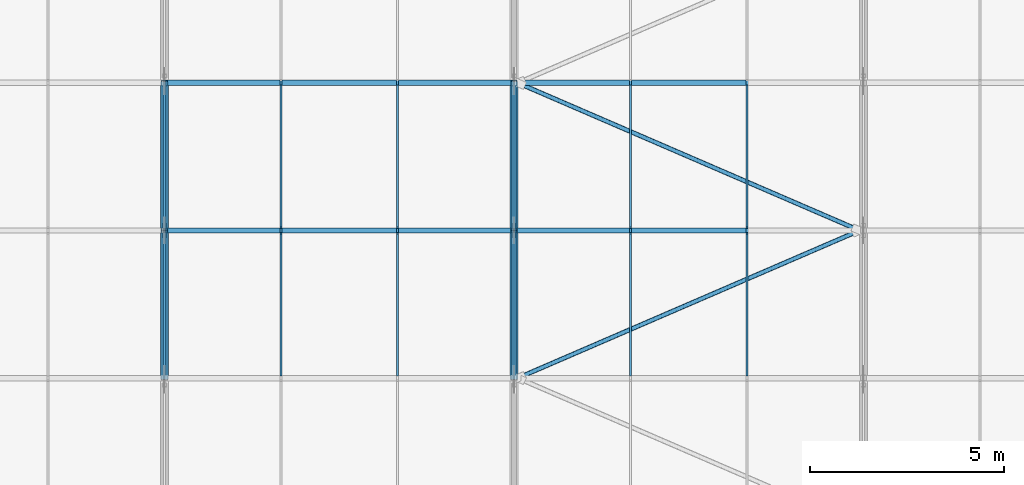
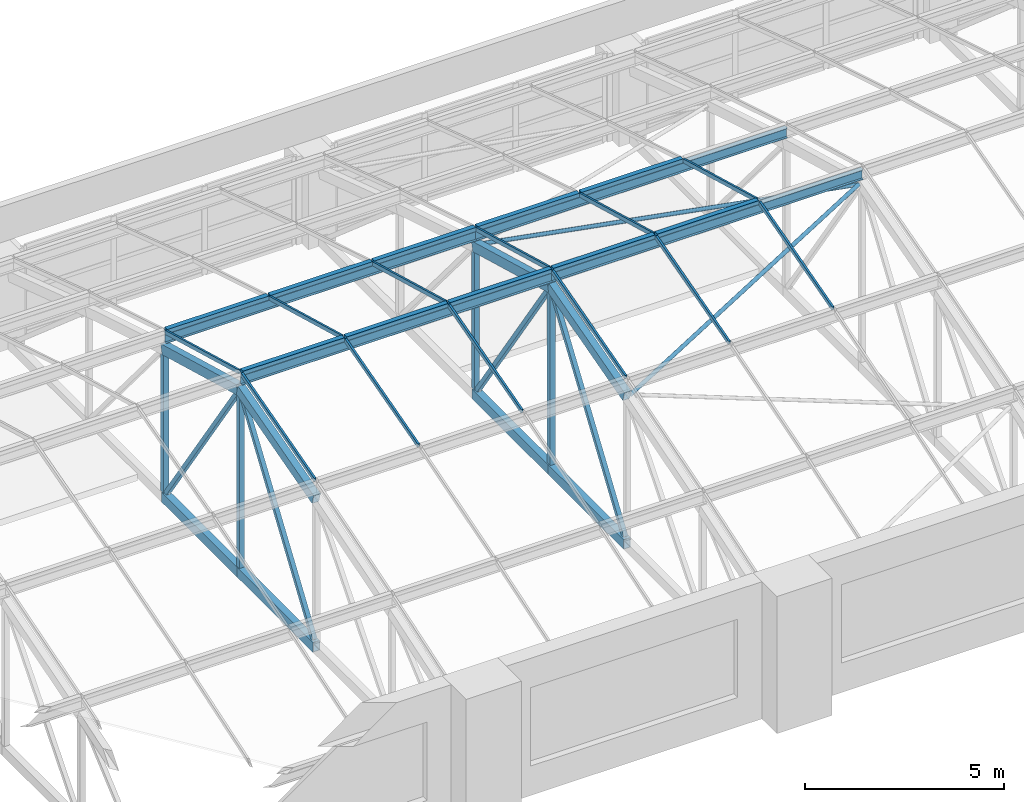
# One storey, part 17 of 82: 44 members, 1 element without a shape of its own.
"""IFC4 building model written with IfcOpenShell, lengths in metres."""

from ifc_helpers import new_model, si_unit, direction, frame, origin, origin_2d, place, context, subcontext, project, spatial, rectangle, hollow_rectangle, hollow_circle, i_section, extrude, material, material_profile, profile_set, type_object, element, aggregate, save


model = new_model("IFC4")

# Units and contexts
model_context = context("Model", 3, precision=1e-05, world=origin(), true_north=direction((0.0, 1.0)))
body_context = subcontext(model_context, "Body", "Model", "MODEL_VIEW")
ifc_project = project(units=[si_unit("LENGTHUNIT", "METRE"), si_unit("AREAUNIT", "SQUARE_METRE"), si_unit("VOLUMEUNIT", "CUBIC_METRE"), si_unit("PLANEANGLEUNIT", "RADIAN"), si_unit("MASSUNIT", "GRAM", prefix="KILO")], contexts=[model_context])

# Site, building, storey
site_placement = place(None, origin())
site = spatial("IfcSite", under=ifc_project, at=site_placement, CompositionType="ELEMENT")
building_placement = place(site_placement, origin())
building = spatial("IfcBuilding", under=site, at=building_placement, Name="Aravalli Gate Trade Fair Centre", CompositionType="ELEMENT")
storey_placement = place(building_placement, frame((0.0, 0.0, 19.199951171875)))
storey = spatial("IfcBuildingStorey", under=building, at=storey_placement, Name="L04", CompositionType="ELEMENT", Elevation=19.199951171875)

# Members
ifc_material_1 = material(Name="Steel E350", Category="steel")
ifc_material_profile_1 = material_profile(ifc_material_1, hollow_circle(Radius=0.05712890625, WallThickness=0.00439453125, at=origin_2d()), Name="CHS 114.3x4.5")
ifc_profile_set_1 = profile_set([ifc_material_profile_1], Name="Steel E350")
member_type_1 = type_object("IfcMemberType", Name="CHS 114.3x4.5 roof plan brace", PredefinedType="BRACE", material=ifc_profile_set_1)
for number, where, z_axis, x_axis, name in (
    (1, (69.10009765625, 117.300048828125, 4.674560546875), (0.912600164326, 0.394091154082, 0.108871953906), (-0.396447725805, 0.91805729707, 0.0), "Vault plan brace 8.3"),
    (2, (69.10009765625, 124.89990234375, 4.674560546875), (0.912609270109, -0.394069766951, 0.108873040214), (0.396426258231, 0.918066567186, 0.0), "Vault plan brace 8.4"),
):
    element("IfcMember", number, at=place(storey_placement, frame(where, z_axis=z_axis, x_axis=x_axis)), inside=storey, type_object=member_type_1, Name=name, PredefinedType="BRACE", context=body_context, shape_type="SweptSolid", body=[
        extrude(hollow_circle(Radius=0.05712890625, WallThickness=0.00439453125, at=origin_2d()), origin(), (0.0, 0.0, 1.0), 9.642578125),
    ])
ifc_material_profile_2 = material_profile(ifc_material_1, i_section(OverallWidth=0.139892578125, OverallDepth=0.300048828125, WebThickness=0.0078125, FlangeThickness=0.01318359375, at=origin_2d()), Name="ISMB 300")
ifc_profile_set_2 = profile_set([ifc_material_profile_2], Name="Steel E350")
member_type_2 = type_object("IfcMemberType", Name="ISMB 300 roof purlin", PredefinedType="PURLIN", material=ifc_profile_set_2)
for number, where, z_axis, x_axis, name in (
    (3, (60.0, 121.10009765625, 6.030029296875), (1.0, 0.0, 0.0), (0.0, 1.0, 0.0), "Vault purlin 07-08 F3"),
    (4, (60.0, 124.89990234375, 4.999267578125), (1.0, 0.0, 0.0), (0.0, 1.0, 0.0), "Vault purlin 07-08 F4"),
    (5, (69.0, 121.10009765625, 6.030029296875), (1.0, 0.0, 0.0), (0.0, 1.0, 0.0), "Vault purlin 08-09 F3"),
    (6, (69.0, 124.89990234375, 4.999267578125), (1.0, 0.0, 0.0), (0.0, 1.0, 0.0), "Vault purlin 08-09 F4"),
):
    element("IfcMember", number, at=place(storey_placement, frame(where, z_axis=z_axis, x_axis=x_axis)), inside=storey, type_object=member_type_2, Name=name, PredefinedType="PURLIN", context=body_context, shape_type="SweptSolid", body=[
        extrude(i_section(OverallWidth=0.139892578125, OverallDepth=0.300048828125, WebThickness=0.0078125, FlangeThickness=0.01318359375, at=origin_2d()), origin(), (0.0, 0.0, 1.0), 9.0),
    ])
ifc_material_profile_3 = material_profile(ifc_material_1, hollow_rectangle(XDim=0.199951171875, YDim=0.300048828125, WallThickness=0.011962890625, at=origin_2d()), Name="RHS 300x200x12")
ifc_profile_set_3 = profile_set([ifc_material_profile_3], Name="Steel E350")
member_type_3 = type_object("IfcMemberType", Name="RHS 300x200x12 CT1 truss chord", PredefinedType="CHORD", material=ifc_profile_set_3)
member_1_placement = place(storey_placement, frame((60.0, 117.300048828125, 4.674560546875), z_axis=(0.0, 0.963894016224, 0.266286172166), x_axis=(-1.0, 0.0, 0.0)))
element("IfcMember", 7, at=member_1_placement, inside=storey, type_object=member_type_3, Name="Concourse vault truss CT1 line 07 top chord T3", PredefinedType="CHORD", context=body_context, shape_type="SweptSolid", body=[
    extrude(hollow_rectangle(XDim=0.199951171875, YDim=0.300048828125, WallThickness=0.011962890625, at=origin_2d()), origin(), (0.0, 0.0, 1.0), 3.9423828125),
])
member_2_placement = place(storey_placement, frame((60.0, 117.300048828125, 0.150146484375), z_axis=(0.0, 1.0, 0.0), x_axis=(-1.0, 0.0, 0.0)))
element("IfcMember", 8, at=member_2_placement, inside=storey, type_object=member_type_3, Name="Concourse vault truss CT1 line 07 bottom chord B3", PredefinedType="CHORD", context=body_context, shape_type="SweptSolid", body=[
    extrude(hollow_rectangle(XDim=0.199951171875, YDim=0.300048828125, WallThickness=0.011962890625, at=origin_2d()), origin(), (0.0, 0.0, 1.0), 3.800048828125),
])
member_3_placement = place(storey_placement, frame((60.0, 121.10009765625, 5.724365234375), z_axis=(0.0, 0.96388962469, -0.266302067988), x_axis=(-1.0, 0.0, 0.0)))
element("IfcMember", 9, at=member_3_placement, inside=storey, type_object=member_type_3, Name="Concourse vault truss CT1 line 07 top chord T4", PredefinedType="CHORD", context=body_context, shape_type="SweptSolid", body=[
    extrude(hollow_rectangle(XDim=0.199951171875, YDim=0.300048828125, WallThickness=0.011962890625, at=origin_2d()), origin(), (0.0, 0.0, 1.0), 3.942138671875),
])
member_4_placement = place(storey_placement, frame((60.0, 121.10009765625, 0.150146484375), z_axis=(0.0, 1.0, 0.0), x_axis=(-1.0, 0.0, 0.0)))
element("IfcMember", 10, at=member_4_placement, inside=storey, type_object=member_type_3, Name="Concourse vault truss CT1 line 07 bottom chord B4", PredefinedType="CHORD", context=body_context, shape_type="SweptSolid", body=[
    extrude(hollow_rectangle(XDim=0.199951171875, YDim=0.300048828125, WallThickness=0.011962890625, at=origin_2d()), origin(), (0.0, 0.0, 1.0), 3.7998046875),
])
member_5_placement = place(storey_placement, frame((69.0, 117.300048828125, 4.674560546875), z_axis=(0.0, 0.963894016224, 0.266286172166), x_axis=(-1.0, 0.0, 0.0)))
element("IfcMember", 11, at=member_5_placement, inside=storey, type_object=member_type_3, Name="Concourse vault truss CT1 line 08 top chord T3", PredefinedType="CHORD", context=body_context, shape_type="SweptSolid", body=[
    extrude(hollow_rectangle(XDim=0.199951171875, YDim=0.300048828125, WallThickness=0.011962890625, at=origin_2d()), origin(), (0.0, 0.0, 1.0), 3.9423828125),
])
member_6_placement = place(storey_placement, frame((69.0, 117.300048828125, 0.150146484375), z_axis=(0.0, 1.0, 0.0), x_axis=(-1.0, 0.0, 0.0)))
element("IfcMember", 12, at=member_6_placement, inside=storey, type_object=member_type_3, Name="Concourse vault truss CT1 line 08 bottom chord B3", PredefinedType="CHORD", context=body_context, shape_type="SweptSolid", body=[
    extrude(hollow_rectangle(XDim=0.199951171875, YDim=0.300048828125, WallThickness=0.011962890625, at=origin_2d()), origin(), (0.0, 0.0, 1.0), 3.800048828125),
])
member_7_placement = place(storey_placement, frame((69.0, 121.10009765625, 5.724365234375), z_axis=(0.0, 0.96388962469, -0.266302067988), x_axis=(-1.0, 0.0, 0.0)))
element("IfcMember", 13, at=member_7_placement, inside=storey, type_object=member_type_3, Name="Concourse vault truss CT1 line 08 top chord T4", PredefinedType="CHORD", context=body_context, shape_type="SweptSolid", body=[
    extrude(hollow_rectangle(XDim=0.199951171875, YDim=0.300048828125, WallThickness=0.011962890625, at=origin_2d()), origin(), (0.0, 0.0, 1.0), 3.942138671875),
])
member_8_placement = place(storey_placement, frame((69.0, 121.10009765625, 0.150146484375), z_axis=(0.0, 1.0, 0.0), x_axis=(-1.0, 0.0, 0.0)))
element("IfcMember", 14, at=member_8_placement, inside=storey, type_object=member_type_3, Name="Concourse vault truss CT1 line 08 bottom chord B4", PredefinedType="CHORD", context=body_context, shape_type="SweptSolid", body=[
    extrude(hollow_rectangle(XDim=0.199951171875, YDim=0.300048828125, WallThickness=0.011962890625, at=origin_2d()), origin(), (0.0, 0.0, 1.0), 3.7998046875),
])
ifc_material_profile_4 = material_profile(ifc_material_1, hollow_rectangle(XDim=0.125, YDim=0.125, WallThickness=0.006103515625, at=origin_2d()), Name="SHS 125x125x6")
ifc_profile_set_4 = profile_set([ifc_material_profile_4], Name="Steel E350")
member_type_4 = type_object("IfcMemberType", Name="SHS 125x125x6 CT1 truss diagonal", PredefinedType="BRACE", material=ifc_profile_set_4)
for number, where, z_axis, x_axis, name in (
    (15, (60.0, 117.40234375, 0.300048828125), (0.0, 0.5632471019, 0.826288510268), (-1.0, 0.0, 0.0), "Concourse vault truss CT1 line 07 diagonal D3"),
    (16, (60.0, 121.230712890625, 5.53271484375), (0.0, 0.5632471019, -0.826288510268), (-1.0, 0.0, 0.0), "Concourse vault truss CT1 line 07 diagonal D4"),
    (17, (69.0, 117.40234375, 0.300048828125), (0.0, 0.5632471019, 0.826288510268), (-1.0, 0.0, 0.0), "Concourse vault truss CT1 line 08 diagonal D3"),
    (18, (69.0, 121.230712890625, 5.53271484375), (0.0, 0.5632471019, -0.826288510268), (-1.0, 0.0, 0.0), "Concourse vault truss CT1 line 08 diagonal D4"),
):
    element("IfcMember", number, at=place(storey_placement, frame(where, z_axis=z_axis, x_axis=x_axis)), inside=storey, type_object=member_type_4, Name=name, PredefinedType="BRACE", context=body_context, shape_type="SweptSolid", body=[
        extrude(hollow_rectangle(XDim=0.125, YDim=0.125, WallThickness=0.006103515625, at=origin_2d()), origin(), (0.0, 0.0, 1.0), 6.332763671875),
    ])
ifc_material_profile_5 = material_profile(ifc_material_1, hollow_rectangle(XDim=0.14990234375, YDim=0.14990234375, WallThickness=0.006103515625, at=origin_2d()), Name="SHS 150x150x6")
ifc_profile_set_5 = profile_set([ifc_material_profile_5], Name="Steel E350")
member_type_5 = type_object("IfcMemberType", Name="SHS 150x150x6 CT1 truss post", PredefinedType="POST", material=ifc_profile_set_5)
member_9_placement = place(storey_placement, frame((60.0, 121.10009765625, 0.300048828125), z_axis=(0.0, 0.0, 1.0), x_axis=(1.0, 0.0, 0.0)))
element("IfcMember", 19, at=member_9_placement, inside=storey, type_object=member_type_5, Name="Concourse vault truss CT1 line 07 post V3", PredefinedType="POST", context=body_context, shape_type="SweptSolid", body=[
    extrude(hollow_rectangle(XDim=0.14990234375, YDim=0.14990234375, WallThickness=0.006103515625, at=origin_2d()), origin(), (0.0, 0.0, 1.0), 5.268798828125),
])
member_10_placement = place(storey_placement, frame((60.0, 124.89990234375, 0.300048828125), z_axis=(0.0, 0.0, 1.0), x_axis=(1.0, 0.0, 0.0)))
element("IfcMember", 20, at=member_10_placement, inside=storey, type_object=member_type_5, Name="Concourse vault truss CT1 line 07 post V4", PredefinedType="POST", context=body_context, shape_type="SweptSolid", body=[
    extrude(hollow_rectangle(XDim=0.14990234375, YDim=0.14990234375, WallThickness=0.006103515625, at=origin_2d()), origin(), (0.0, 0.0, 1.0), 4.216552734375),
])
member_11_placement = place(storey_placement, frame((69.0, 121.10009765625, 0.300048828125), z_axis=(0.0, 0.0, 1.0), x_axis=(1.0, 0.0, 0.0)))
element("IfcMember", 21, at=member_11_placement, inside=storey, type_object=member_type_5, Name="Concourse vault truss CT1 line 08 post V3", PredefinedType="POST", context=body_context, shape_type="SweptSolid", body=[
    extrude(hollow_rectangle(XDim=0.14990234375, YDim=0.14990234375, WallThickness=0.006103515625, at=origin_2d()), origin(), (0.0, 0.0, 1.0), 5.268798828125),
])
member_12_placement = place(storey_placement, frame((69.0, 124.89990234375, 0.300048828125), z_axis=(0.0, 0.0, 1.0), x_axis=(1.0, 0.0, 0.0)))
element("IfcMember", 22, at=member_12_placement, inside=storey, type_object=member_type_5, Name="Concourse vault truss CT1 line 08 post V4", PredefinedType="POST", context=body_context, shape_type="SweptSolid", body=[
    extrude(hollow_rectangle(XDim=0.14990234375, YDim=0.14990234375, WallThickness=0.006103515625, at=origin_2d()), origin(), (0.0, 0.0, 1.0), 4.216552734375),
])
ifc_material_2 = material(Name="Aluminium", Category="aluminium")
ifc_material_profile_6 = material_profile(ifc_material_2, rectangle(XDim=0.139892578125, YDim=0.1201171875, at=origin_2d()), Name="Vault fold cap 140 x 120")
ifc_profile_set_6 = profile_set([ifc_material_profile_6], Name="Aluminium")
member_type_6 = type_object("IfcMemberType", Name="Vault fold cap 140 x 120", PredefinedType="USERDEFINED", material=ifc_profile_set_6)
for number, where, z_axis, x_axis, name in (
    (23, (60.030029296875, 121.10009765625, 6.239990234375), (1.0, 0.0, 0.0), (0.0, 1.0, 0.0), "Vault fold cap w16.3"),
    (24, (60.030029296875, 124.89990234375, 5.209228515625), (1.0, 0.0, 0.0), (0.0, 1.0, 0.0), "Vault fold cap w16.4"),
    (25, (63.030029296875, 121.10009765625, 6.239990234375), (1.0, 0.0, 0.0), (0.0, 1.0, 0.0), "Vault fold cap w17.3"),
    (26, (63.030029296875, 124.89990234375, 5.209228515625), (1.0, 0.0, 0.0), (0.0, 1.0, 0.0), "Vault fold cap w17.4"),
    (27, (66.030029296875, 121.10009765625, 6.239990234375), (1.0, 0.0, 0.0), (0.0, 1.0, 0.0), "Vault fold cap w18.3"),
    (28, (66.030029296875, 124.89990234375, 5.209228515625), (1.0, 0.0, 0.0), (0.0, 1.0, 0.0), "Vault fold cap w18.4"),
    (29, (69.030029296875, 121.10009765625, 6.239990234375), (1.0, 0.0, 0.0), (0.0, 1.0, 0.0), "Vault fold cap w19.3"),
    (30, (69.030029296875, 124.89990234375, 5.209228515625), (1.0, 0.0, 0.0), (0.0, 1.0, 0.0), "Vault fold cap w19.4"),
    (31, (72.030029296875, 121.10009765625, 6.239990234375), (1.0, 0.0, 0.0), (0.0, 1.0, 0.0), "Vault fold cap w20.3"),
    (32, (72.030029296875, 124.89990234375, 5.209228515625), (1.0, 0.0, 0.0), (0.0, 1.0, 0.0), "Vault fold cap w20.4"),
):
    element("IfcMember", number, at=place(storey_placement, frame(where, z_axis=z_axis, x_axis=x_axis)), inside=storey, type_object=member_type_6, Name=name, ObjectType="FOLD CAP", PredefinedType="USERDEFINED", context=body_context, shape_type="SweptSolid", body=[
        extrude(rectangle(XDim=0.139892578125, YDim=0.1201171875, at=origin_2d()), origin(), (0.0, 0.0, 1.0), 2.93994140625),
    ])

# Curtain wall, members
ifc_material_3 = material(Name="Aluminium and glass", Category="aluminium")
curtain_wall_type = type_object("IfcCurtainWallType", Name="Vault curtain wall, sloped glazing", PredefinedType="NOTDEFINED", material=ifc_material_3)
curtain_wall_placement = place(storey_placement, origin())
curtain_wall = element("IfcCurtainWall", 33, at=curtain_wall_placement, inside=storey, type_object=curtain_wall_type, Name="Vault curtain wall w", PredefinedType="NOTDEFINED")
ifc_material_profile_7 = material_profile(ifc_material_2, rectangle(XDim=0.06005859375, YDim=0.1201171875, at=origin_2d()), Name="Vault glazing bar 60 x 120")
ifc_profile_set_7 = profile_set([ifc_material_profile_7], Name="Aluminium")
member_type_7 = type_object("IfcMemberType", Name="Vault glazing bar 60 x 120", PredefinedType="USERDEFINED", material=ifc_profile_set_7)
member_13_placement = place(storey_placement, frame((60.0, 117.3701171875, 5.20703125), z_axis=(0.0, 0.96386804037, 0.266380180859), x_axis=(-1.0, 0.0, 0.0)))
member_13 = element("IfcMember", 34, at=member_13_placement, type_object=member_type_7, Name="Vault glazing bar w16.3", ObjectType="GLAZING BAR", PredefinedType="USERDEFINED", context=body_context, shape_type="SweptSolid", body=[
    extrude(rectangle(XDim=0.06005859375, YDim=0.1201171875, at=origin_2d()), origin(), (0.0, 0.0, 1.0), 3.797119140625),
])
member_14_placement = place(storey_placement, frame((60.0, 121.169921875, 6.218505859375), z_axis=(0.0, 0.963872602318, -0.266363673386), x_axis=(-1.0, 0.0, 0.0)))
member_14 = element("IfcMember", 35, at=member_14_placement, type_object=member_type_7, Name="Vault glazing bar w16.4", ObjectType="GLAZING BAR", PredefinedType="USERDEFINED", context=body_context, shape_type="SweptSolid", body=[
    extrude(rectangle(XDim=0.06005859375, YDim=0.1201171875, at=origin_2d()), origin(), (0.0, 0.0, 1.0), 3.79736328125),
])
member_15_placement = place(storey_placement, frame((63.0, 117.3701171875, 5.20703125), z_axis=(0.0, 0.96386804037, 0.266380180859), x_axis=(-1.0, 0.0, 0.0)))
member_15 = element("IfcMember", 36, at=member_15_placement, type_object=member_type_7, Name="Vault glazing bar w17.3", ObjectType="GLAZING BAR", PredefinedType="USERDEFINED", context=body_context, shape_type="SweptSolid", body=[
    extrude(rectangle(XDim=0.06005859375, YDim=0.1201171875, at=origin_2d()), origin(), (0.0, 0.0, 1.0), 3.797119140625),
])
member_16_placement = place(storey_placement, frame((63.0, 121.169921875, 6.218505859375), z_axis=(0.0, 0.963872602318, -0.266363673386), x_axis=(-1.0, 0.0, 0.0)))
member_16 = element("IfcMember", 37, at=member_16_placement, type_object=member_type_7, Name="Vault glazing bar w17.4", ObjectType="GLAZING BAR", PredefinedType="USERDEFINED", context=body_context, shape_type="SweptSolid", body=[
    extrude(rectangle(XDim=0.06005859375, YDim=0.1201171875, at=origin_2d()), origin(), (0.0, 0.0, 1.0), 3.79736328125),
])
member_17_placement = place(storey_placement, frame((66.0, 117.3701171875, 5.20703125), z_axis=(0.0, 0.96386804037, 0.266380180859), x_axis=(-1.0, 0.0, 0.0)))
member_17 = element("IfcMember", 38, at=member_17_placement, type_object=member_type_7, Name="Vault glazing bar w18.3", ObjectType="GLAZING BAR", PredefinedType="USERDEFINED", context=body_context, shape_type="SweptSolid", body=[
    extrude(rectangle(XDim=0.06005859375, YDim=0.1201171875, at=origin_2d()), origin(), (0.0, 0.0, 1.0), 3.797119140625),
])
member_18_placement = place(storey_placement, frame((66.0, 121.169921875, 6.218505859375), z_axis=(0.0, 0.963872602318, -0.266363673386), x_axis=(-1.0, 0.0, 0.0)))
member_18 = element("IfcMember", 39, at=member_18_placement, type_object=member_type_7, Name="Vault glazing bar w18.4", ObjectType="GLAZING BAR", PredefinedType="USERDEFINED", context=body_context, shape_type="SweptSolid", body=[
    extrude(rectangle(XDim=0.06005859375, YDim=0.1201171875, at=origin_2d()), origin(), (0.0, 0.0, 1.0), 3.79736328125),
])
member_19_placement = place(storey_placement, frame((69.0, 117.3701171875, 5.20703125), z_axis=(0.0, 0.96386804037, 0.266380180859), x_axis=(-1.0, 0.0, 0.0)))
member_19 = element("IfcMember", 40, at=member_19_placement, type_object=member_type_7, Name="Vault glazing bar w19.3", ObjectType="GLAZING BAR", PredefinedType="USERDEFINED", context=body_context, shape_type="SweptSolid", body=[
    extrude(rectangle(XDim=0.06005859375, YDim=0.1201171875, at=origin_2d()), origin(), (0.0, 0.0, 1.0), 3.797119140625),
])
member_20_placement = place(storey_placement, frame((69.0, 121.169921875, 6.218505859375), z_axis=(0.0, 0.963872602318, -0.266363673386), x_axis=(-1.0, 0.0, 0.0)))
member_20 = element("IfcMember", 41, at=member_20_placement, type_object=member_type_7, Name="Vault glazing bar w19.4", ObjectType="GLAZING BAR", PredefinedType="USERDEFINED", context=body_context, shape_type="SweptSolid", body=[
    extrude(rectangle(XDim=0.06005859375, YDim=0.1201171875, at=origin_2d()), origin(), (0.0, 0.0, 1.0), 3.79736328125),
])
member_21_placement = place(storey_placement, frame((72.0, 117.3701171875, 5.20703125), z_axis=(0.0, 0.96386804037, 0.266380180859), x_axis=(-1.0, 0.0, 0.0)))
member_21 = element("IfcMember", 42, at=member_21_placement, type_object=member_type_7, Name="Vault glazing bar w20.3", ObjectType="GLAZING BAR", PredefinedType="USERDEFINED", context=body_context, shape_type="SweptSolid", body=[
    extrude(rectangle(XDim=0.06005859375, YDim=0.1201171875, at=origin_2d()), origin(), (0.0, 0.0, 1.0), 3.797119140625),
])
member_22_placement = place(storey_placement, frame((72.0, 121.169921875, 6.218505859375), z_axis=(0.0, 0.963872602318, -0.266363673386), x_axis=(-1.0, 0.0, 0.0)))
member_22 = element("IfcMember", 43, at=member_22_placement, type_object=member_type_7, Name="Vault glazing bar w20.4", ObjectType="GLAZING BAR", PredefinedType="USERDEFINED", context=body_context, shape_type="SweptSolid", body=[
    extrude(rectangle(XDim=0.06005859375, YDim=0.1201171875, at=origin_2d()), origin(), (0.0, 0.0, 1.0), 3.79736328125),
])
member_23_placement = place(storey_placement, frame((75.0, 117.3701171875, 5.20703125), z_axis=(0.0, 0.96386804037, 0.266380180859), x_axis=(-1.0, 0.0, 0.0)))
member_23 = element("IfcMember", 44, at=member_23_placement, type_object=member_type_7, Name="Vault glazing bar w21.3", ObjectType="GLAZING BAR", PredefinedType="USERDEFINED", context=body_context, shape_type="SweptSolid", body=[
    extrude(rectangle(XDim=0.06005859375, YDim=0.1201171875, at=origin_2d()), origin(), (0.0, 0.0, 1.0), 3.797119140625),
])
member_24_placement = place(storey_placement, frame((75.0, 121.169921875, 6.218505859375), z_axis=(0.0, 0.963872602318, -0.266363673386), x_axis=(-1.0, 0.0, 0.0)))
member_24 = element("IfcMember", 45, at=member_24_placement, type_object=member_type_7, Name="Vault glazing bar w21.4", ObjectType="GLAZING BAR", PredefinedType="USERDEFINED", context=body_context, shape_type="SweptSolid", body=[
    extrude(rectangle(XDim=0.06005859375, YDim=0.1201171875, at=origin_2d()), origin(), (0.0, 0.0, 1.0), 3.79736328125),
])
aggregate(curtain_wall, [member_13, member_14, member_15, member_16, member_17, member_18, member_19, member_20, member_21, member_22, member_23, member_24])

save(model, "model.ifc")
